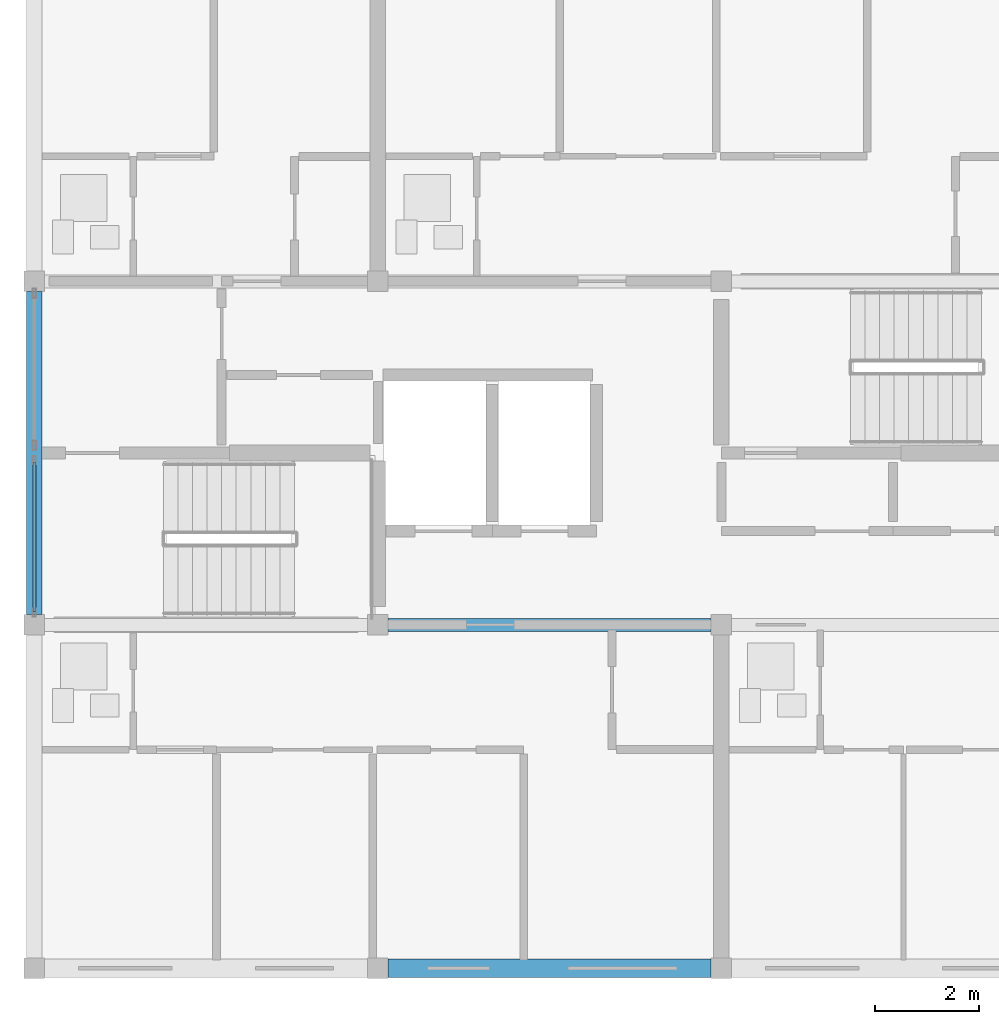
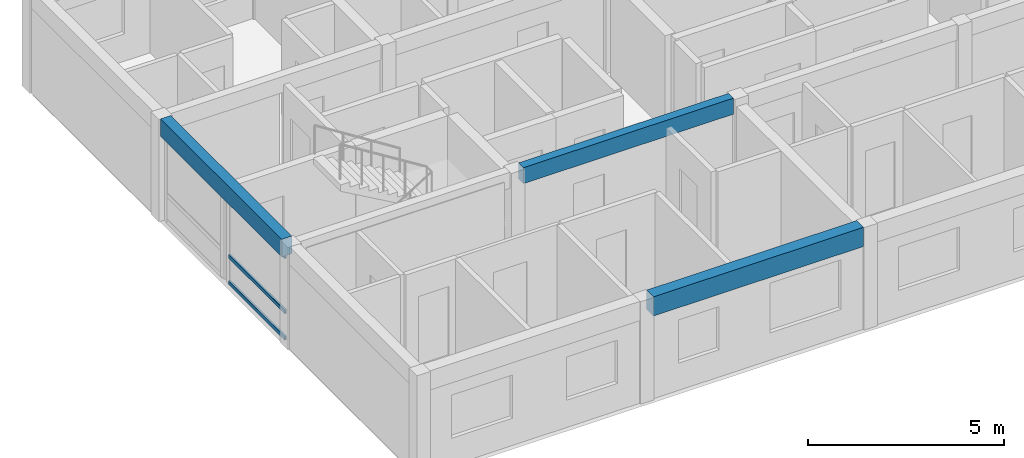
# One storey, part 5 of 45: 3 beams, 3 members, 1 element without a shape of its own.
"""IFC4 building model written with IfcOpenShell, lengths in metres."""

from ifc_helpers import new_model, si_unit, direction, frame, origin, origin_2d, place, context, subcontext, project, spatial, rectangle, hollow_rectangle, extrude, material, material_profile, profile_set, type_object, element, aggregate, save


model = new_model("IFC4")

# Units and contexts
model_context = context("Model", 3, precision=1e-05, world=origin(), true_north=direction((0.0, 1.0)))
body_context = subcontext(model_context, "Body", "Model", "MODEL_VIEW")
ifc_project = project(units=[si_unit("LENGTHUNIT", "METRE"), si_unit("AREAUNIT", "SQUARE_METRE"), si_unit("VOLUMEUNIT", "CUBIC_METRE"), si_unit("PLANEANGLEUNIT", "RADIAN"), si_unit("MASSUNIT", "GRAM", prefix="KILO")], contexts=[model_context])

# Site, building, storey
site_placement = place(None, origin())
site = spatial("IfcSite", under=ifc_project, at=site_placement, CompositionType="ELEMENT")
building_placement = place(site_placement, origin())
building = spatial("IfcBuilding", under=site, at=building_placement, Name="Kernevlak Ridge Housing Community", CompositionType="ELEMENT")
storey_placement = place(building_placement, frame((0.0, 0.0, 14.800048828125)))
storey = spatial("IfcBuildingStorey", under=building, at=storey_placement, Name="L04", CompositionType="ELEMENT", Elevation=14.800048828125)

# Beams
ifc_material_1 = material(Name="Concrete C35/45", Category="concrete")
ifc_material_profile_1 = material_profile(ifc_material_1, rectangle(XDim=0.25, YDim=0.5, at=origin_2d()), Name="RC 250x500")
ifc_profile_set_1 = profile_set([ifc_material_profile_1], Name="Concrete C35/45")
beam_type_1 = type_object("IfcBeamType", Name="B-06", PredefinedType="T_BEAM", material=ifc_profile_set_1)
beam_1_placement = place(storey_placement, frame((22.39990234375, 22.199951171875, 2.949951171875), z_axis=(1.0, 0.0, 0.0), x_axis=(0.0, 1.0, 0.0)))
element("IfcBeam", 1, at=beam_1_placement, inside=storey, type_object=beam_type_1, Name="Beam B-06 L04 1415", PredefinedType="T_BEAM", context=body_context, shape_type="SweptSolid", body=[
    extrude(rectangle(XDim=0.25, YDim=0.5, at=origin_2d()), origin(), (0.0, 0.0, 1.0), 6.2001953125),
])
ifc_material_profile_2 = material_profile(ifc_material_1, rectangle(XDim=0.300048828125, YDim=0.550048828125, at=origin_2d()), Name="RC 300x550")
ifc_profile_set_2 = profile_set([ifc_material_profile_2], Name="Concrete C35/45")
beam_type_2 = type_object("IfcBeamType", Name="SP-01", PredefinedType="SPANDREL", material=ifc_profile_set_2)
beam_2_placement = place(storey_placement, frame((15.60009765625, 22.39990234375, 2.925048828125), z_axis=(0.0, 1.0, 0.0), x_axis=(-1.0, 0.0, 0.0)))
element("IfcBeam", 2, at=beam_2_placement, inside=storey, type_object=beam_type_2, Name="Beam SP-01 L04 1427", PredefinedType="SPANDREL", context=body_context, shape_type="SweptSolid", body=[
    extrude(rectangle(XDim=0.300048828125, YDim=0.550048828125, at=origin_2d()), origin(), (0.0, 0.0, 1.0), 6.2001953125),
])
ifc_material_profile_3 = material_profile(ifc_material_1, rectangle(XDim=0.35009765625, YDim=0.60009765625, at=origin_2d()), Name="RC 350x600")
ifc_profile_set_3 = profile_set([ifc_material_profile_3], Name="Concrete C35/45")
beam_type_3 = type_object("IfcBeamType", Name="SP-03", PredefinedType="SPANDREL", material=ifc_profile_set_3)
beam_3_placement = place(storey_placement, frame((22.39990234375, 15.60009765625, 2.89990234375), z_axis=(1.0, 0.0, 0.0), x_axis=(0.0, 1.0, 0.0)))
element("IfcBeam", 3, at=beam_3_placement, inside=storey, type_object=beam_type_3, Name="Beam SP-03 L04 1411", PredefinedType="SPANDREL", context=body_context, shape_type="SweptSolid", body=[
    extrude(rectangle(XDim=0.35009765625, YDim=0.60009765625, at=origin_2d()), origin(), (0.0, 0.0, 1.0), 6.2001953125),
])

# Curtain wall, members
ifc_material_2 = material(Name="Aluminium EN AW-6060 anodised and laminated glass", Category="aluminium")
curtain_wall_type = type_object("IfcCurtainWallType", Name="CW-10", PredefinedType="NOTDEFINED", material=ifc_material_2)
curtain_wall_placement = place(storey_placement, origin())
curtain_wall = element("IfcCurtainWall", 4, at=curtain_wall_placement, inside=storey, type_object=curtain_wall_type, Name="Curtain wall CW-10 CW-L04-151", PredefinedType="NOTDEFINED")
ifc_material_3 = material(Name="Aluminium EN AW-6060 anodised", Category="aluminium")
ifc_material_profile_4 = material_profile(ifc_material_3, hollow_rectangle(XDim=0.06005859375, YDim=0.1201171875, WallThickness=0.00390625, InnerFilletRadius=0.001953125, OuterFilletRadius=0.00390625, at=origin_2d()), Name="ALU 60x120x4")
ifc_profile_set_4 = profile_set([ifc_material_profile_4], Name="Aluminium EN AW-6060 anodised")
member_type = type_object("IfcMemberType", Name="TM-02", PredefinedType="USERDEFINED", material=ifc_profile_set_4)
member_1_placement = place(storey_placement, frame((15.60009765625, 22.4599609375, 0.030029296875), z_axis=(0.0, 1.0, 0.0), x_axis=(-1.0, 0.0, 0.0)))
member_1 = element("IfcMember", 5, at=member_1_placement, type_object=member_type, Name="CW-10 transom 1.1", ObjectType="TRANSOM", PredefinedType="USERDEFINED", context=body_context, shape_type="SweptSolid", body=[
    extrude(hollow_rectangle(XDim=0.06005859375, YDim=0.1201171875, WallThickness=0.00390625, InnerFilletRadius=0.001953125, OuterFilletRadius=0.00390625, at=origin_2d()), origin(), (0.0, 0.0, 1.0), 2.8701171875),
])
member_2_placement = place(storey_placement, frame((15.60009765625, 22.4599609375, 0.849853515625), z_axis=(0.0, 1.0, 0.0), x_axis=(-1.0, 0.0, 0.0)))
member_2 = element("IfcMember", 6, at=member_2_placement, type_object=member_type, Name="CW-10 transom 1.2", ObjectType="TRANSOM", PredefinedType="USERDEFINED", context=body_context, shape_type="SweptSolid", body=[
    extrude(hollow_rectangle(XDim=0.06005859375, YDim=0.1201171875, WallThickness=0.00390625, InnerFilletRadius=0.001953125, OuterFilletRadius=0.00390625, at=origin_2d()), origin(), (0.0, 0.0, 1.0), 2.8701171875),
])
member_3_placement = place(storey_placement, frame((15.60009765625, 22.4599609375, 2.570068359375), z_axis=(0.0, 1.0, 0.0), x_axis=(-1.0, 0.0, 0.0)))
member_3 = element("IfcMember", 7, at=member_3_placement, type_object=member_type, Name="CW-10 transom 1.3", ObjectType="TRANSOM", PredefinedType="USERDEFINED", context=body_context, shape_type="SweptSolid", body=[
    extrude(hollow_rectangle(XDim=0.06005859375, YDim=0.1201171875, WallThickness=0.00390625, InnerFilletRadius=0.001953125, OuterFilletRadius=0.00390625, at=origin_2d()), origin(), (0.0, 0.0, 1.0), 2.8701171875),
])
aggregate(curtain_wall, [member_1, member_2, member_3])

save(model, "model.ifc")
